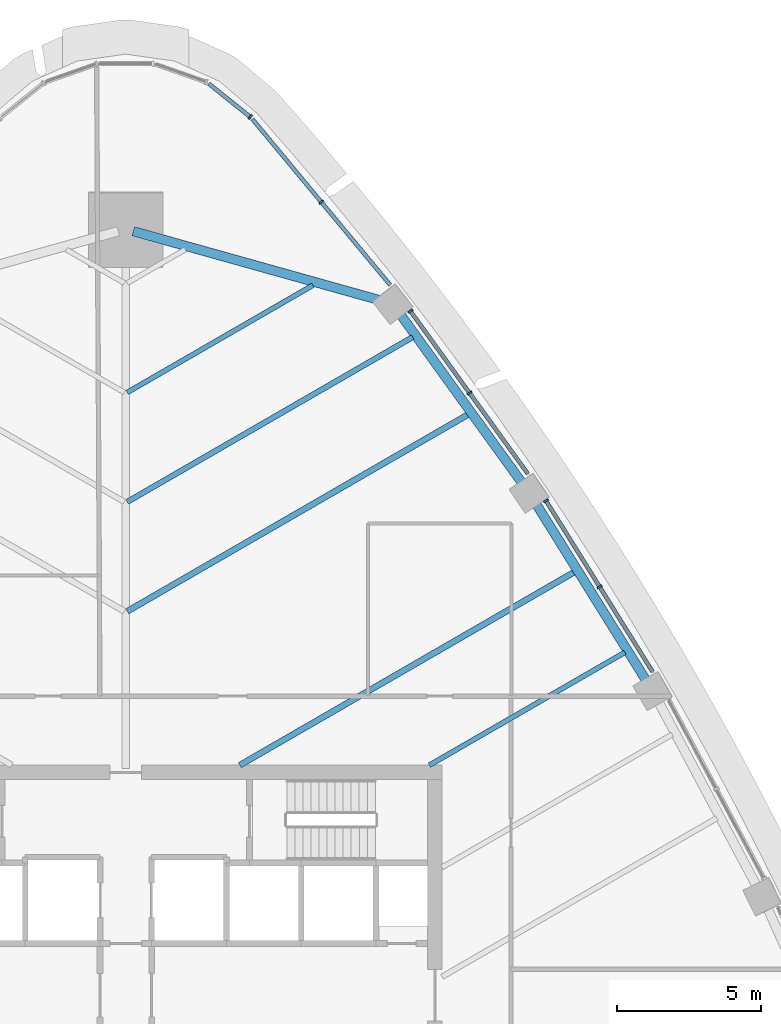
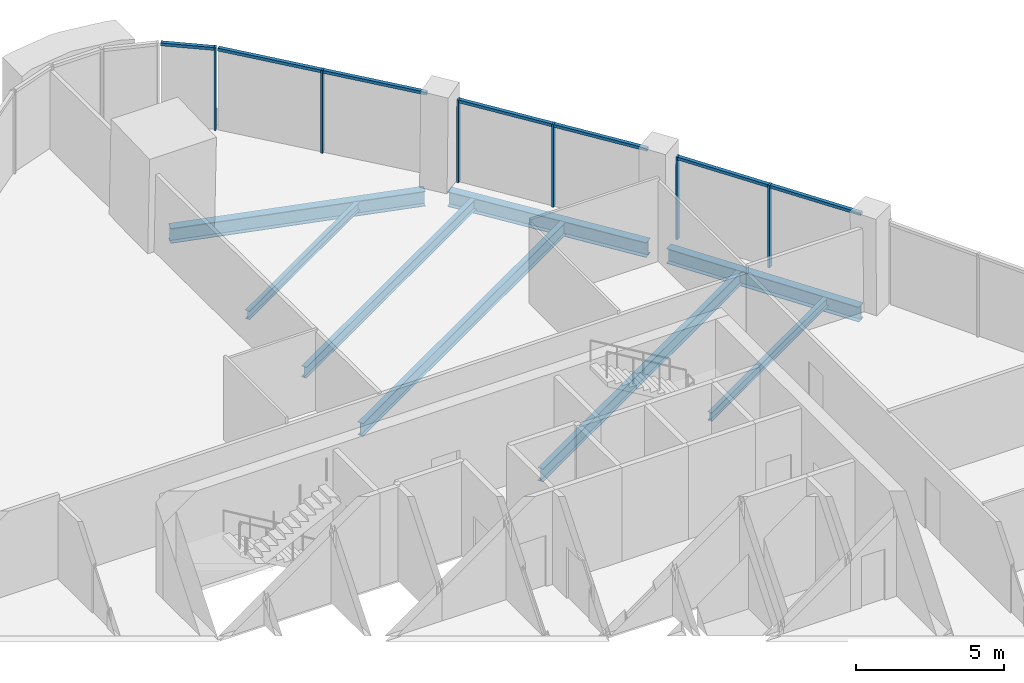
# One storey, part 7 of 16: 13 members, 8 beams, 4 elements without a shape of their own.
"""IFC4 building model written with IfcOpenShell, lengths in metres."""

from ifc_helpers import new_model, si_unit, direction, frame, origin, origin_2d, place, context, subcontext, project, spatial, rectangle, i_section, extrude, material, layer, layer_set, material_profile, profile_set, type_object, element, aggregate, save


model = new_model("IFC4")

# Units and contexts
model_context = context("Model", 3, precision=1e-05, world=origin(), true_north=direction((0.0, 1.0)))
body_context = subcontext(model_context, "Body", "Model", "MODEL_VIEW")
ifc_project = project(units=[si_unit("LENGTHUNIT", "METRE"), si_unit("AREAUNIT", "SQUARE_METRE"), si_unit("VOLUMEUNIT", "CUBIC_METRE"), si_unit("PLANEANGLEUNIT", "RADIAN"), si_unit("MASSUNIT", "GRAM", prefix="KILO")], contexts=[model_context])

# Site, building, storey
site_placement = place(None, origin())
site = spatial("IfcSite", under=ifc_project, at=site_placement, CompositionType="ELEMENT")
building_placement = place(site_placement, origin())
building = spatial("IfcBuilding", under=site, at=building_placement, Name="Sierra Prisma Convention Tower", CompositionType="ELEMENT")
storey_placement = place(building_placement, frame((0.0, 0.0, 197.800048828125)))
storey = spatial("IfcBuildingStorey", under=building, at=storey_placement, Name="L44", CompositionType="ELEMENT", Elevation=197.800048828125)

# Curtain wall, members
ifc_material_1 = material(Name="Aluminium and glass curtain wall", Category="aluminium")
ifc_layer = layer(ifc_material_1, 0.179931640625)
ifc_layer_set = layer_set([ifc_layer], Name="CW-1 Plain shaft curtain wall")
curtain_wall_type = type_object("IfcCurtainWallType", Name="CW-1 Plain shaft curtain wall", PredefinedType="NOTDEFINED", material=ifc_layer_set)
curtain_wall_1_placement = place(storey_placement, origin())
curtain_wall_1 = element("IfcCurtainWall", 1, at=curtain_wall_1_placement, inside=storey, type_object=curtain_wall_type, Name="CW-1 NE4 L44", PredefinedType="NOTDEFINED")
ifc_material_2 = material(Name="Aluminium 6063-T6 bronze anodised", Category="aluminium")
ifc_material_profile_1 = material_profile(ifc_material_2, rectangle(XDim=0.179931640625, YDim=0.070068359375, at=origin_2d()), Name="ALU MULLION 70x180")
ifc_profile_set_1 = profile_set([ifc_material_profile_1], Name="Aluminium 6063-T6 bronze anodised")
member_type_1 = type_object("IfcMemberType", Name="CW mullion bronze", PredefinedType="MULLION", material=ifc_profile_set_1)
member_1_placement = place(storey_placement, frame((16.48095703125, 14.20458984375, 0.0), z_axis=(0.0, 0.0, 1.0), x_axis=(-0.84858134908, -0.529064924176, 0.0)))
member_1 = element("IfcMember", 2, at=member_1_placement, type_object=member_type_1, Name="CW-1 mullion NE4.2", PredefinedType="MULLION", context=body_context, shape_type="SweptSolid", body=[
    extrude(rectangle(XDim=0.179931640625, YDim=0.070068359375, at=origin_2d()), origin(), (0.0, 0.0, 1.0), 3.39990234375),
])
member_2_placement = place(storey_placement, frame((14.614013671875, 17.19873046875, 0.0), z_axis=(0.0, 0.0, 1.0), x_axis=(-0.84858134908, -0.529064924176, 0.0)))
member_2 = element("IfcMember", 3, at=member_2_placement, type_object=member_type_1, Name="CW-1 mullion NE4.3", PredefinedType="MULLION", context=body_context, shape_type="SweptSolid", body=[
    extrude(rectangle(XDim=0.179931640625, YDim=0.070068359375, at=origin_2d()), origin(), (0.0, 0.0, 1.0), 3.39990234375),
])

curtain_wall_2_placement = place(storey_placement, origin())
curtain_wall_2 = element("IfcCurtainWall", 4, at=curtain_wall_2_placement, inside=storey, type_object=curtain_wall_type, Name="CW-1 NE5 L44", PredefinedType="NOTDEFINED")
member_3_placement = place(storey_placement, frame((11.955078125, 20.9453125, 0.0), z_axis=(0.0, 0.0, 1.0), x_axis=(-0.810789179414, -0.585338283855, 0.0)))
member_3 = element("IfcMember", 5, at=member_3_placement, type_object=member_type_1, Name="CW-1 mullion NE5.2", PredefinedType="MULLION", context=body_context, shape_type="SweptSolid", body=[
    extrude(rectangle(XDim=0.179931640625, YDim=0.070068359375, at=origin_2d()), origin(), (0.0, 0.0, 1.0), 3.39990234375),
])
member_4_placement = place(storey_placement, frame((9.898681640625, 23.793701171875, 0.0), z_axis=(0.0, 0.0, 1.0), x_axis=(-0.810789179414, -0.585338283855, 0.0)))
member_4 = element("IfcMember", 6, at=member_4_placement, type_object=member_type_1, Name="CW-1 mullion NE5.3", PredefinedType="MULLION", context=body_context, shape_type="SweptSolid", body=[
    extrude(rectangle(XDim=0.179931640625, YDim=0.070068359375, at=origin_2d()), origin(), (0.0, 0.0, 1.0), 3.39990234375),
])

# Curtain wall, member
curtain_wall_3_placement = place(storey_placement, origin())
curtain_wall_3 = element("IfcCurtainWall", 7, at=curtain_wall_3_placement, inside=storey, type_object=curtain_wall_type, Name="CW-1 NE6 L44", PredefinedType="NOTDEFINED")
member_5_placement = place(storey_placement, frame((6.80078125, 27.5849609375, 0.0), z_axis=(0.0, 0.0, 1.0), x_axis=(-0.769271482847, -0.638922049767, 0.0)))
member_5 = element("IfcMember", 8, at=member_5_placement, type_object=member_type_1, Name="CW-1 mullion NE6.2", PredefinedType="MULLION", context=body_context, shape_type="SweptSolid", body=[
    extrude(rectangle(XDim=0.179931640625, YDim=0.070068359375, at=origin_2d()), origin(), (0.0, 0.0, 1.0), 3.39990234375),
])

curtain_wall_4_placement = place(storey_placement, origin())
curtain_wall_4 = element("IfcCurtainWall", 9, at=curtain_wall_4_placement, inside=storey, type_object=curtain_wall_type, Name="CW-1 N1 L44", PredefinedType="NOTDEFINED")
member_6_placement = place(storey_placement, frame((4.3330078125, 30.545166015625, 0.0), z_axis=(0.0, 0.0, 1.0), x_axis=(-0.624928954653, -0.780681626296, 0.0)))
member_6 = element("IfcMember", 10, at=member_6_placement, type_object=member_type_1, Name="CW-1 mullion N1.1", PredefinedType="MULLION", context=body_context, shape_type="SweptSolid", body=[
    extrude(rectangle(XDim=0.179931640625, YDim=0.070068359375, at=origin_2d()), origin(), (0.0, 0.0, 1.0), 3.39990234375),
])

# Member
ifc_material_3 = material(Name="Aluminium 6063-T6 bronze anodised", Category="aluminium")
ifc_material_profile_2 = material_profile(ifc_material_3, rectangle(XDim=0.139892578125, YDim=0.1201171875, at=origin_2d()), Name="ALU TRANSOM 120x140")
ifc_profile_set_2 = profile_set([ifc_material_profile_2], Name="Aluminium 6063-T6 bronze anodised")
member_type_2 = type_object("IfcMemberType", Name="CW transom bronze", PredefinedType="USERDEFINED", material=ifc_profile_set_2)
member_7_placement = place(storey_placement, frame((18.3291015625, 11.240234375, 3.33984375), z_axis=(-0.529110261406, 0.848553081, 0.0), x_axis=(-0.848553081, -0.529110261406, 0.0)))
member_7 = element("IfcMember", 11, at=member_7_placement, type_object=member_type_2, Name="CW-1 transom NE4.1", ObjectType="TRANSOM", PredefinedType="USERDEFINED", context=body_context, shape_type="SweptSolid", body=[
    extrude(rectangle(XDim=0.139892578125, YDim=0.1201171875, at=origin_2d()), origin(), (0.0, 0.0, 1.0), 3.458251953125),
])

member_8_placement = place(storey_placement, frame((16.46240234375, 14.234375, 3.33984375), z_axis=(-0.529110261406, 0.848553081, 0.0), x_axis=(-0.848553081, -0.529110261406, 0.0)))
member_8 = element("IfcMember", 12, at=member_8_placement, type_object=member_type_2, Name="CW-1 transom NE4.2", ObjectType="TRANSOM", PredefinedType="USERDEFINED", context=body_context, shape_type="SweptSolid", body=[
    extrude(rectangle(XDim=0.139892578125, YDim=0.1201171875, at=origin_2d()), origin(), (0.0, 0.0, 1.0), 3.458251953125),
])

aggregate(curtain_wall_1, [member_1, member_2, member_7, member_8])

member_9_placement = place(storey_placement, frame((13.990966796875, 18.125244140625, 3.33984375), z_axis=(-0.585322267273, 0.810800742128, 0.0), x_axis=(-0.810800742128, -0.585322267273, 0.0)))
member_9 = element("IfcMember", 13, at=member_9_placement, type_object=member_type_2, Name="CW-1 transom NE5.1", ObjectType="TRANSOM", PredefinedType="USERDEFINED", context=body_context, shape_type="SweptSolid", body=[
    extrude(rectangle(XDim=0.139892578125, YDim=0.1201171875, at=origin_2d()), origin(), (0.0, 0.0, 1.0), 3.443115234375),
])

member_10_placement = place(storey_placement, frame((11.9345703125, 20.9736328125, 3.33984375), z_axis=(-0.585322267273, 0.810800742128, 0.0), x_axis=(-0.810800742128, -0.585322267273, 0.0)))
member_10 = element("IfcMember", 14, at=member_10_placement, type_object=member_type_2, Name="CW-1 transom NE5.2", ObjectType="TRANSOM", PredefinedType="USERDEFINED", context=body_context, shape_type="SweptSolid", body=[
    extrude(rectangle(XDim=0.139892578125, YDim=0.1201171875, at=origin_2d()), origin(), (0.0, 0.0, 1.0), 3.443115234375),
])

aggregate(curtain_wall_2, [member_3, member_4, member_9, member_10])

member_11_placement = place(storey_placement, frame((9.1962890625, 24.70068359375, 3.33984375), z_axis=(-0.638929351568, 0.769265418244, 0.0), x_axis=(-0.769265418244, -0.638929351568, 0.0)))
member_11 = element("IfcMember", 15, at=member_11_placement, type_object=member_type_2, Name="CW-1 transom NE6.1", ObjectType="TRANSOM", PredefinedType="USERDEFINED", context=body_context, shape_type="SweptSolid", body=[
    extrude(rectangle(XDim=0.139892578125, YDim=0.1201171875, at=origin_2d()), origin(), (0.0, 0.0, 1.0), 3.714599609375),
])

member_12_placement = place(storey_placement, frame((6.7783203125, 27.61181640625, 3.33984375), z_axis=(-0.638897047548, 0.769292247871, 0.0), x_axis=(-0.769292247871, -0.638897047548, 0.0)))
member_12 = element("IfcMember", 16, at=member_12_placement, type_object=member_type_2, Name="CW-1 transom NE6.2", ObjectType="TRANSOM", PredefinedType="USERDEFINED", context=body_context, shape_type="SweptSolid", body=[
    extrude(rectangle(XDim=0.139892578125, YDim=0.1201171875, at=origin_2d()), origin(), (0.0, 0.0, 1.0), 3.714599609375),
])

aggregate(curtain_wall_3, [member_5, member_11, member_12])

member_13_placement = place(storey_placement, frame((4.3056640625, 30.56689453125, 3.33984375), z_axis=(-0.780659421787, 0.62495669224, 0.0), x_axis=(-0.62495669224, -0.780659421787, 0.0)))
member_13 = element("IfcMember", 17, at=member_13_placement, type_object=member_type_2, Name="CW-1 transom N1.1", ObjectType="TRANSOM", PredefinedType="USERDEFINED", context=body_context, shape_type="SweptSolid", body=[
    extrude(rectangle(XDim=0.139892578125, YDim=0.1201171875, at=origin_2d()), origin(), (0.0, 0.0, 1.0), 1.820556640625),
])

aggregate(curtain_wall_4, [member_6, member_13])

# Beams
ifc_material_4 = material(Name="Steel ASTM A992 Gr 50", Category="steel")
ifc_material_profile_3 = material_profile(ifc_material_4, i_section(OverallWidth=0.172119140625, OverallDepth=0.35791015625, WebThickness=0.0078125, FlangeThickness=0.01318359375, at=origin_2d()), Name="W360x57")
ifc_profile_set_3 = profile_set([ifc_material_profile_3], Name="Steel ASTM A992 Gr 50")
beam_type_1 = type_object("IfcBeamType", Name="Floor joist W360x57", PredefinedType="JOIST", material=ifc_profile_set_3)
beam_1_placement = place(storey_placement, frame((17.357666015625, 11.924560546875, -0.3291015625), z_axis=(-0.866027606468, -0.499996184821, 0.0), x_axis=(0.499996184821, -0.866027606468, 0.0)))
element("IfcBeam", 18, at=beam_1_placement, inside=storey, type_object=beam_type_1, Name="Floor joist L44 NE08", PredefinedType="JOIST", context=body_context, shape_type="SweptSolid", body=[
    extrude(i_section(OverallWidth=0.172119140625, OverallDepth=0.35791015625, WebThickness=0.0078125, FlangeThickness=0.01318359375, at=origin_2d()), origin(), (0.0, 0.0, 1.0), 7.84912109375),
])
beam_2_placement = place(storey_placement, frame((6.508056640625, 24.692626953125, -0.3291015625), z_axis=(-0.866016007392, -0.500016274675, 0.0), x_axis=(0.500016274675, -0.866016007392, 0.0)))
element("IfcBeam", 19, at=beam_2_placement, inside=storey, type_object=beam_type_1, Name="Floor joist L44 NE13", PredefinedType="JOIST", context=body_context, shape_type="SweptSolid", body=[
    extrude(i_section(OverallWidth=0.172119140625, OverallDepth=0.35791015625, WebThickness=0.0078125, FlangeThickness=0.01318359375, at=origin_2d()), origin(), (0.0, 0.0, 1.0), 7.456298828125),
])
ifc_material_5 = material(Name="Steel ASTM A992 Gr 50", Category="steel")
ifc_material_profile_4 = material_profile(ifc_material_5, i_section(OverallWidth=0.18994140625, OverallDepth=0.45703125, WebThickness=0.009033203125, FlangeThickness=0.014404296875, at=origin_2d()), Name="W460x74")
ifc_profile_set_4 = profile_set([ifc_material_profile_4], Name="Steel ASTM A992 Gr 50")
beam_type_2 = type_object("IfcBeamType", Name="Floor joist W460x74", PredefinedType="JOIST", material=ifc_profile_set_4)
beam_3_placement = place(storey_placement, frame((9.97998046875, 22.890625, -0.378662109375), z_axis=(-0.866023886522, -0.500002627967, 0.0), x_axis=(0.500002627967, -0.866023886522, 0.0)))
element("IfcBeam", 20, at=beam_3_placement, inside=storey, type_object=beam_type_2, Name="Floor joist L44 NE12", PredefinedType="JOIST", context=body_context, shape_type="SweptSolid", body=[
    extrude(i_section(OverallWidth=0.18994140625, OverallDepth=0.45703125, WebThickness=0.009033203125, FlangeThickness=0.014404296875, at=origin_2d()), origin(), (0.0, 0.0, 1.0), 11.46533203125),
])
ifc_material_6 = material(Name="Steel ASTM A992 Gr 50", Category="steel")
ifc_material_profile_5 = material_profile(ifc_material_6, i_section(OverallWidth=0.208984375, OverallDepth=0.532958984375, WebThickness=0.01025390625, FlangeThickness=0.015625, at=origin_2d()), Name="W530x92")
ifc_profile_set_5 = profile_set([ifc_material_profile_5], Name="Steel ASTM A992 Gr 50")
beam_type_3 = type_object("IfcBeamType", Name="Floor joist W530x92", PredefinedType="JOIST", material=ifc_profile_set_5)
beam_4_placement = place(storey_placement, frame((15.612548828125, 14.723388671875, -0.41650390625), z_axis=(-0.86603018239, -0.49999172312, 0.0), x_axis=(0.49999172312, -0.86603018239, 0.0)))
element("IfcBeam", 21, at=beam_4_placement, inside=storey, type_object=beam_type_3, Name="Floor joist L44 NE09", PredefinedType="JOIST", context=body_context, shape_type="SweptSolid", body=[
    extrude(i_section(OverallWidth=0.208984375, OverallDepth=0.532958984375, WebThickness=0.01025390625, FlangeThickness=0.015625, at=origin_2d()), origin(), (0.0, 0.0, 1.0), 13.447021484375),
])
beam_5_placement = place(storey_placement, frame((11.919677734375, 20.2041015625, -0.41650390625), z_axis=(-0.866024503882, -0.500001558674, 0.0), x_axis=(0.500001558674, -0.866024503882, 0.0)))
element("IfcBeam", 22, at=beam_5_placement, inside=storey, type_object=beam_type_3, Name="Floor joist L44 NE11", PredefinedType="JOIST", context=body_context, shape_type="SweptSolid", body=[
    extrude(i_section(OverallWidth=0.208984375, OverallDepth=0.532958984375, WebThickness=0.01025390625, FlangeThickness=0.015625, at=origin_2d()), origin(), (0.0, 0.0, 1.0), 13.705078125),
])
ifc_material_7 = material(Name="Steel ASTM A992 Gr 50", Category="steel")
ifc_material_profile_6 = material_profile(ifc_material_7, i_section(OverallWidth=0.324951171875, OverallDepth=0.615966796875, WebThickness=0.013916015625, FlangeThickness=0.021484375, at=origin_2d()), Name="W610x174")
ifc_profile_set_6 = profile_set([ifc_material_profile_6], Name="Steel ASTM A992 Gr 50")
beam_type_4 = type_object("IfcBeamType", Name="Spandrel beam W610x174", PredefinedType="BEAM", material=ifc_profile_set_6)
beam_6_placement = place(storey_placement, frame((18.12646484375, 10.904052734375, -0.4580078125), z_axis=(-0.529079639011, 0.848572174646, 0.0), x_axis=(-0.848572174646, -0.529079639011, 0.0)))
element("IfcBeam", 23, at=beam_6_placement, inside=storey, type_object=beam_type_4, Name="Spandrel L44-10", PredefinedType="BEAM", context=body_context, shape_type="SweptSolid", body=[
    extrude(i_section(OverallWidth=0.324951171875, OverallDepth=0.615966796875, WebThickness=0.013916015625, FlangeThickness=0.021484375, at=origin_2d()), origin(), (0.0, 0.0, 1.0), 7.35498046875),
])
beam_7_placement = place(storey_placement, frame((13.8115234375, 17.776123046875, -0.4580078125), z_axis=(-0.585353592511, 0.810778127316, 0.0), x_axis=(-0.810778127316, -0.585353592511, 0.0)))
element("IfcBeam", 24, at=beam_7_placement, inside=storey, type_object=beam_type_4, Name="Spandrel L44-11", PredefinedType="BEAM", context=body_context, shape_type="SweptSolid", body=[
    extrude(i_section(OverallWidth=0.324951171875, OverallDepth=0.615966796875, WebThickness=0.013916015625, FlangeThickness=0.021484375, at=origin_2d()), origin(), (0.0, 0.0, 1.0), 7.354736328125),
])
beam_8_placement = place(storey_placement, frame((8.799560546875, 24.18310546875, -0.4580078125), z_axis=(-0.963027186996, 0.269404226221, 0.0), x_axis=(-0.269404226221, -0.963027186996, 0.0)))
element("IfcBeam", 25, at=beam_8_placement, inside=storey, type_object=beam_type_4, Name="Spandrel L44-12", PredefinedType="BEAM", context=body_context, shape_type="SweptSolid", body=[
    extrude(i_section(OverallWidth=0.324951171875, OverallDepth=0.615966796875, WebThickness=0.013916015625, FlangeThickness=0.021484375, at=origin_2d()), origin(), (0.0, 0.0, 1.0), 8.867431640625),
])

save(model, "model.ifc")
